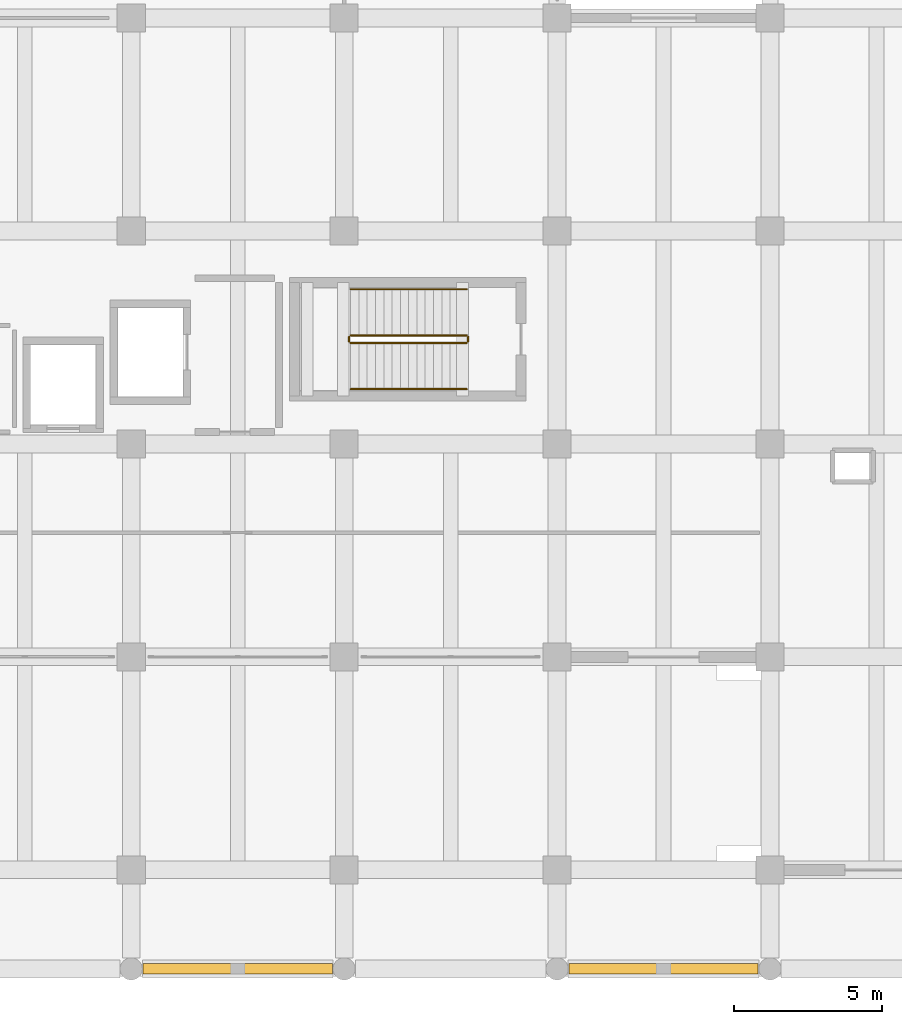
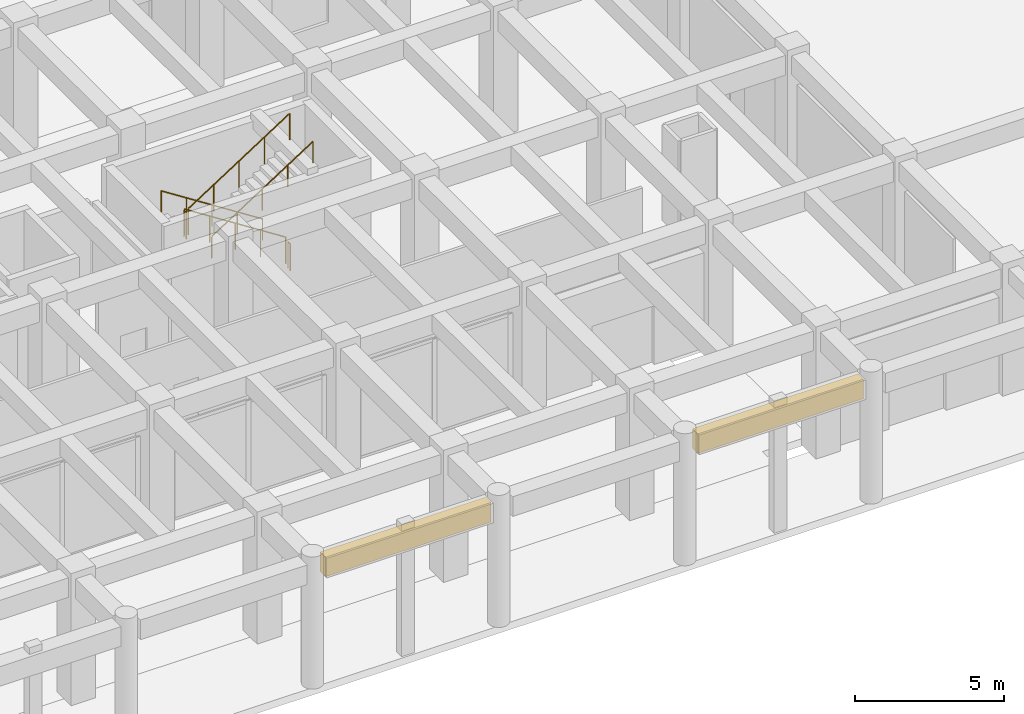
# One storey, part 51 of 56: 6 railings, 2 coverings.
"""IFC4 building model written with IfcOpenShell, lengths in metres."""

from ifc_helpers import new_model, si_unit, direction, frame, origin, origin_2d, place, context, subcontext, project, spatial, rectangle, circle, extrude, material, layer, layer_set, type_object, element, save


model = new_model("IFC4")

# Units and contexts
model_context = context("Model", 3, precision=1e-05, world=origin(), true_north=direction((0.0, 1.0)))
body_context = subcontext(model_context, "Body", "Model", "MODEL_VIEW")
ifc_project = project(units=[si_unit("LENGTHUNIT", "METRE"), si_unit("AREAUNIT", "SQUARE_METRE"), si_unit("VOLUMEUNIT", "CUBIC_METRE"), si_unit("PLANEANGLEUNIT", "RADIAN"), si_unit("MASSUNIT", "GRAM", prefix="KILO")], contexts=[model_context])

# Site, building, storey
site_placement = place(None, origin())
site = spatial("IfcSite", under=ifc_project, at=site_placement, CompositionType="ELEMENT")
building_placement = place(site_placement, origin())
building = spatial("IfcBuilding", under=site, at=building_placement, Name="Kazehaya Institute of Natural Sciences", CompositionType="ELEMENT")
storey_placement = place(building_placement, origin())
storey = spatial("IfcBuildingStorey", under=building, at=storey_placement, Name="L00", CompositionType="ELEMENT", Elevation=0.0)

# Coverings
ifc_material_1 = material(Name="Sawara granite ashlar cladding", Category="masonry")
ifc_layer = layer(ifc_material_1, 0.050048828125, Name="Sawara granite ashlar cladding", Category="masonry")
ifc_layer_set = layer_set([ifc_layer], Name="Sawara granite ashlar cladding")
covering_type = type_object("IfcCoveringType", Name="COV-CLAD-GRN", PredefinedType="CLADDING", material=ifc_layer_set)
for number, where, z_axis, x_axis, name in (
    (1, (101.39990234375, 3.449951171875, 4.2998046875), (0.0, 0.0, 1.0), (1.0, 0.0, 0.0), "L00 rusticated Sawara granite colonnade entablature 7"),
    (2, (115.800048828125, 3.449951171875, 4.2998046875), (0.0, 0.0, 1.0), (1.0, 0.0, 0.0), "L00 rusticated Sawara granite colonnade entablature 8"),
):
    element("IfcCovering", number, at=place(storey_placement, frame(where, z_axis=z_axis, x_axis=x_axis)), inside=storey, type_object=covering_type, Name=name, PredefinedType="CLADDING", context=body_context, shape_type="SweptSolid", body=[
        extrude(rectangle(XDim=6.39990234375, YDim=0.360107421875, at=origin_2d()), origin(), (0.0, 0.0, 1.0), 0.800048828125),
    ])

# Railings
ifc_material_2 = material(Name="Structural steel SN490B", Category="steel")
railing_type_1 = type_object("IfcRailingType", Name="RL-STAIR-GRD", PredefinedType="GUARDRAIL", material=ifc_material_2)
railing_1_placement = place(storey_placement, frame((109.139892578125, 24.8701171875, 0.179931640625)))
element("IfcRailing", 3, at=railing_1_placement, inside=storey, type_object=railing_type_1, Name="L00 ST-2 stair guard 1", PredefinedType="GUARDRAIL", context=body_context, shape_type="SweptSolid", body=[
    extrude(circle(Radius=0.02392578125, at=origin_2d()), frame((0.0, 0.0, 1.076171875), z_axis=(-0.841171666519, 0.0, 0.540768182723), x_axis=(0.0, -1.0, 0.0)), (0.0, 0.0, 1.0), 4.66015625),
    extrude(circle(Radius=0.02099609375, at=origin_2d()), origin(), (0.0, 0.0, 1.0), 1.052001953125),
    extrude(circle(Radius=0.02099609375, at=origin_2d()), frame((-0.97998046875, 0.0, 0.6298828125)), (0.0, 0.0, 1.0), 1.052001953125),
    extrude(circle(Radius=0.02099609375, at=origin_2d()), frame((-1.9599609375, 0.0, 1.260009765625)), (0.0, 0.0, 1.0), 1.052001953125),
    extrude(circle(Radius=0.02099609375, at=origin_2d()), frame((-2.93994140625, 0.0, 1.89013671875)), (0.0, 0.0, 1.0), 1.052001953125),
    extrude(circle(Radius=0.02099609375, at=origin_2d()), frame((-3.919921875, 0.0, 2.52001953125)), (0.0, 0.0, 1.0), 1.052001953125),
])
railing_2_placement = place(storey_placement, frame((105.169921875, 24.820068359375, 2.699951171875)))
element("IfcRailing", 4, at=railing_2_placement, inside=storey, type_object=railing_type_1, Name="L00 ST-2 stair guard 2", PredefinedType="GUARDRAIL", context=body_context, shape_type="SweptSolid", body=[
    extrude(circle(Radius=0.02392578125, at=origin_2d()), frame((0.0, 0.0, 1.076171875), z_axis=(0.0, -1.0, 0.0), x_axis=(1.0, 0.0, 0.0)), (0.0, 0.0, 1.0), 0.16015625),
    extrude(circle(Radius=0.02099609375, at=origin_2d()), origin(), (0.0, 0.0, 1.0), 1.052001953125),
    extrude(circle(Radius=0.02099609375, at=origin_2d()), frame((0.0, -0.16015625, 0.0)), (0.0, 0.0, 1.0), 1.052001953125),
])
railing_3_placement = place(storey_placement, frame((105.219970703125, 24.610107421875, 2.8798828125)))
element("IfcRailing", 5, at=railing_3_placement, inside=storey, type_object=railing_type_1, Name="L00 ST-2 stair guard 3", PredefinedType="GUARDRAIL", context=body_context, shape_type="SweptSolid", body=[
    extrude(circle(Radius=0.02392578125, at=origin_2d()), frame((0.0, 0.0, 1.076171875), z_axis=(0.841171666519, 0.0, 0.540768182723), x_axis=(0.0, 1.0, 0.0)), (0.0, 0.0, 1.0), 4.66015625),
    extrude(circle(Radius=0.02099609375, at=origin_2d()), origin(), (0.0, 0.0, 1.0), 1.052001953125),
    extrude(circle(Radius=0.02099609375, at=origin_2d()), frame((0.97998046875, 0.0, 0.6298828125)), (0.0, 0.0, 1.0), 1.052001953125),
    extrude(circle(Radius=0.02099609375, at=origin_2d()), frame((1.9599609375, 0.0, 1.260009765625)), (0.0, 0.0, 1.0), 1.052001953125),
    extrude(circle(Radius=0.02099609375, at=origin_2d()), frame((2.93994140625, 0.0, 1.89013671875)), (0.0, 0.0, 1.0), 1.052001953125),
    extrude(circle(Radius=0.02099609375, at=origin_2d()), frame((3.919921875, 0.0, 2.52001953125)), (0.0, 0.0, 1.0), 1.052001953125),
])
railing_4_placement = place(storey_placement, frame((109.18994140625, 24.820068359375, 0.0)))
element("IfcRailing", 6, at=railing_4_placement, inside=storey, type_object=railing_type_1, Name="L00 ST-2 stair guard 4", PredefinedType="GUARDRAIL", context=body_context, shape_type="SweptSolid", body=[
    extrude(circle(Radius=0.02392578125, at=origin_2d()), frame((0.0, 0.0, 1.076171875), z_axis=(0.0, -1.0, 0.0), x_axis=(1.0, 0.0, 0.0)), (0.0, 0.0, 1.0), 0.16015625),
    extrude(circle(Radius=0.02099609375, at=origin_2d()), origin(), (0.0, 0.0, 1.0), 1.052001953125),
    extrude(circle(Radius=0.02099609375, at=origin_2d()), frame((0.0, -0.16015625, 0.0)), (0.0, 0.0, 1.0), 1.052001953125),
])
ifc_material_3 = material(Name="Brushed stainless steel handrail", Category="steel")
railing_type_2 = type_object("IfcRailingType", Name="RL-STAIR-HND", PredefinedType="HANDRAIL", material=ifc_material_3)
railing_5_placement = place(storey_placement, frame((109.139892578125, 26.429931640625, 0.179931640625)))
element("IfcRailing", 7, at=railing_5_placement, inside=storey, type_object=railing_type_2, Name="L00 ST-2 stair handrail 1", PredefinedType="HANDRAIL", context=body_context, shape_type="SweptSolid", body=[
    extrude(circle(Radius=0.02392578125, at=origin_2d()), frame((0.0, 0.0, 0.8759765625), z_axis=(-0.841171666519, 0.0, 0.540768182723), x_axis=(0.0, -1.0, 0.0)), (0.0, 0.0, 1.0), 4.66015625),
    extrude(circle(Radius=0.02099609375, at=origin_2d()), origin(), (0.0, 0.0, 1.0), 0.851806640625),
    extrude(circle(Radius=0.02099609375, at=origin_2d()), frame((-0.97998046875, 0.0, 0.6298828125)), (0.0, 0.0, 1.0), 0.851806640625),
    extrude(circle(Radius=0.02099609375, at=origin_2d()), frame((-1.9599609375, 0.0, 1.260009765625)), (0.0, 0.0, 1.0), 0.851806640625),
    extrude(circle(Radius=0.02099609375, at=origin_2d()), frame((-2.93994140625, 0.0, 1.89013671875)), (0.0, 0.0, 1.0), 0.851806640625),
    extrude(circle(Radius=0.02099609375, at=origin_2d()), frame((-3.919921875, 0.0, 2.52001953125)), (0.0, 0.0, 1.0), 0.851806640625),
])
railing_6_placement = place(storey_placement, frame((105.219970703125, 23.050048828125, 2.8798828125)))
element("IfcRailing", 8, at=railing_6_placement, inside=storey, type_object=railing_type_2, Name="L00 ST-2 stair handrail 2", PredefinedType="HANDRAIL", context=body_context, shape_type="SweptSolid", body=[
    extrude(circle(Radius=0.02392578125, at=origin_2d()), frame((0.0, 0.0, 0.8759765625), z_axis=(0.841171666519, 0.0, 0.540768182723), x_axis=(0.0, 1.0, 0.0)), (0.0, 0.0, 1.0), 4.66015625),
    extrude(circle(Radius=0.02099609375, at=origin_2d()), origin(), (0.0, 0.0, 1.0), 0.851806640625),
    extrude(circle(Radius=0.02099609375, at=origin_2d()), frame((0.97998046875, 0.0, 0.6298828125)), (0.0, 0.0, 1.0), 0.851806640625),
    extrude(circle(Radius=0.02099609375, at=origin_2d()), frame((1.9599609375, 0.0, 1.260009765625)), (0.0, 0.0, 1.0), 0.851806640625),
    extrude(circle(Radius=0.02099609375, at=origin_2d()), frame((2.93994140625, 0.0, 1.89013671875)), (0.0, 0.0, 1.0), 0.851806640625),
    extrude(circle(Radius=0.02099609375, at=origin_2d()), frame((3.919921875, 0.0, 2.52001953125)), (0.0, 0.0, 1.0), 0.851806640625),
])

save(model, "model.ifc")
